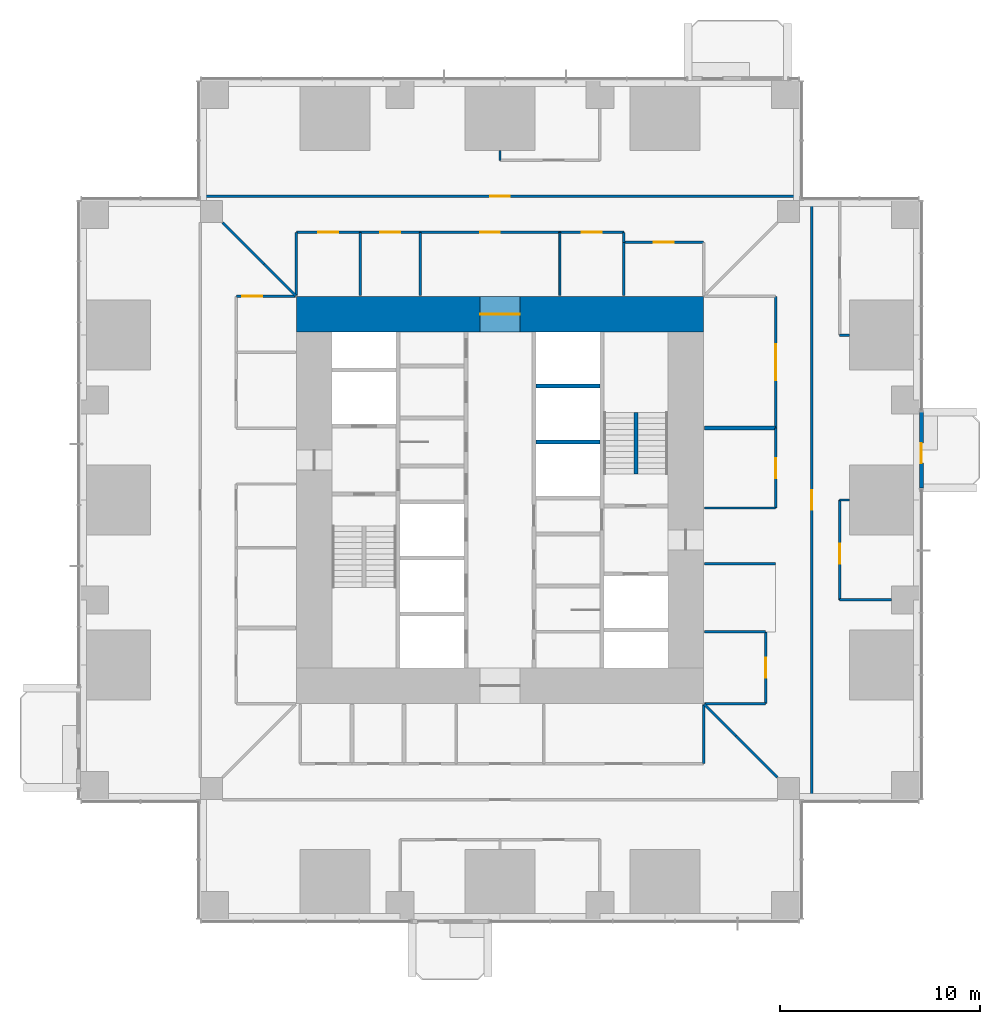
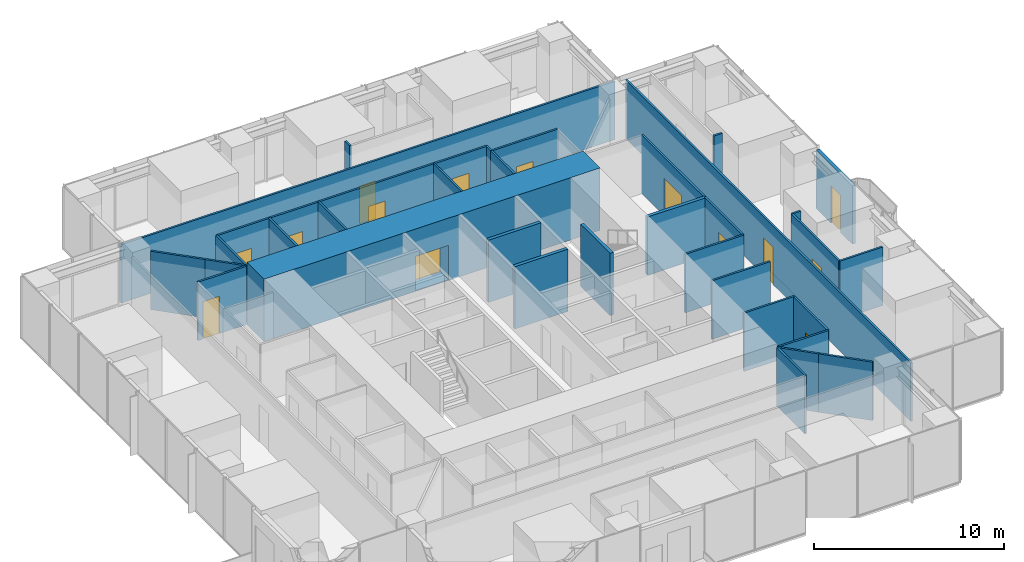
# One storey, part 13 of 17: 37 walls, 14 doors, 14 openings.
"""IFC4 building model written with IfcOpenShell, lengths in metres."""

from ifc_helpers import new_model, si_unit, direction, frame, frame_2d, origin, place, context, subcontext, project, spatial, rectangle, extrude, material, layer, layer_set, type_object, element, fill, save


model = new_model("IFC4")

# Units and contexts
model_context = context("Model", 3, precision=1e-05, world=origin(), true_north=direction((0.0, 1.0)))
body_context = subcontext(model_context, "Body", "Model", "MODEL_VIEW")
ifc_project = project(units=[si_unit("LENGTHUNIT", "METRE"), si_unit("AREAUNIT", "SQUARE_METRE"), si_unit("VOLUMEUNIT", "CUBIC_METRE"), si_unit("PLANEANGLEUNIT", "RADIAN"), si_unit("MASSUNIT", "GRAM", prefix="KILO")], contexts=[model_context])

# Site, building, storey
site_placement = place(None, origin())
site = spatial("IfcSite", under=ifc_project, at=site_placement, CompositionType="ELEMENT")
building_placement = place(site_placement, origin())
building = spatial("IfcBuilding", under=site, at=building_placement, Name="Svetlomir Tower", CompositionType="ELEMENT")
storey_placement = place(building_placement, frame((0.0, 0.0, 62.5)))
storey = spatial("IfcBuildingStorey", under=building, at=storey_placement, Name="L14", CompositionType="ELEMENT", Elevation=62.5)

# Wall
ifc_material_1 = material(Name="Gypsum board on twin steel studs", Category="steel")
ifc_layer_1 = layer(ifc_material_1, 0.199951171875)
ifc_layer_set_1 = layer_set([ifc_layer_1], Name="Gypsum board on twin steel studs")
wall_type_1 = type_object("IfcWallType", Name="ACOUSTIC PARTITION 200", PredefinedType="PARTITIONING", material=ifc_layer_set_1)
wall_1_placement = place(storey_placement, frame((31.25, 24.60009765625, 0.0), z_axis=(0.0, 0.0, 1.0), x_axis=(1.0, 0.0, 0.0)))
element("IfcWall", 1, at=wall_1_placement, inside=storey, type_object=wall_type_1, Name="Acoustic partition L14", PredefinedType="PARTITIONING", context=body_context, shape_type="SweptSolid", body=[
    extrude(rectangle(XDim=3.550048828125, YDim=0.199951171875, at=frame_2d((1.77490234375, 0.0))), origin(), (0.0, 0.0, 1.0), 3.75),
])

# Wall, opening, door
ifc_material_2 = material(Name="Bronze anodised aluminium glazed screen", Category="aluminium")
ifc_layer_2 = layer(ifc_material_2, 0.199951171875)
ifc_layer_set_2 = layer_set([ifc_layer_2], Name="Bronze anodised aluminium glazed screen")
wall_type_2 = type_object("IfcWallType", Name="BALCONY SCREEN WALL 200", PredefinedType="USERDEFINED", material=ifc_layer_set_2)
wall_2_placement = place(storey_placement, frame((42.10009765625, 21.60009765625, 0.0), z_axis=(0.0, 0.0, 1.0), x_axis=(0.0, 1.0, 0.0)))
wall_2 = element("IfcWall", 2, at=wall_2_placement, inside=storey, type_object=wall_type_2, Name="Balcony screen E", ObjectType="GLAZED SCREEN", PredefinedType="USERDEFINED", context=body_context, shape_type="SweptSolid", body=[
    extrude(rectangle(XDim=3.7998046875, YDim=0.199951171875, at=frame_2d((1.89990234375, 0.0))), origin(), (0.0, 0.0, 1.0), 3.75),
])
opening_1_placement = place(wall_2_placement, frame((1.25, 0.0, 0.0)))
opening_1 = element("IfcOpeningElement", 3, at=opening_1_placement, cuts=wall_2, Name="Opening BD", PredefinedType="OPENING", context=body_context, shape_type="SweptSolid", body=[
    extrude(rectangle(XDim=1.0, YDim=2.39990234375, at=frame_2d((0.5, 1.199951171875))), frame((0.0, 0.10986328125, 0.0), z_axis=(0.0, -1.0, 0.0), x_axis=(1.0, 0.0, 0.0)), (0.0, 0.0, 1.0), 0.219970703125),
])
ifc_material_3 = material(Name="Bronze anodised aluminium glazed door", Category="aluminium")
door_type_1 = type_object("IfcDoorType", Name="BALCONY DOOR BD 1000x2400", OperationType="SINGLE_SWING_LEFT", PredefinedType="DOOR", material=ifc_material_3)
door_1_placement = place(opening_1_placement, origin())
door_1 = element("IfcDoor", 4, at=door_1_placement, inside=storey, type_object=door_type_1, Name="Balcony screen E door", OperationType="SINGLE_SWING_LEFT", OverallHeight=2.39990234375, OverallWidth=1.0, PredefinedType="DOOR", context=body_context, shape_type="SweptSolid", body=[
    extrude(rectangle(XDim=1.0, YDim=2.39990234375, at=frame_2d((0.5, 1.199951171875))), frame((0.0, 0.02490234375, 0.0), z_axis=(0.0, -1.0, 0.0), x_axis=(1.0, 0.0, 0.0)), (0.0, 0.0, 1.0), 0.050048828125),
])
fill(opening_1, door_1)

# Walls
ifc_material_4 = material(Name="Concrete C60/75", Category="concrete")
ifc_layer_3 = layer(ifc_material_4, 0.199951171875)
ifc_layer_set_3 = layer_set([ifc_layer_3], Name="Concrete C60/75")
wall_type_3 = type_object("IfcWallType", Name="CORE INNER WALL 200", PredefinedType="SHEAR", material=ifc_layer_set_3)
for number, where, z_axis, x_axis, name in (
    (5, (22.800048828125, 23.89990234375, -0.050048828125), (0.0, 0.0, 1.0), (1.0, 0.0, 0.0), "Core inner wall 22.8-26/23.9 L14"),
    (6, (22.800048828125, 26.699951171875, -0.050048828125), (0.0, 0.0, 1.0), (1.0, 0.0, 0.0), "Core inner wall 22.8-26/26.7 L14"),
):
    element("IfcWall", number, at=place(storey_placement, frame(where, z_axis=z_axis, x_axis=x_axis)), inside=storey, type_object=wall_type_3, Name=name, PredefinedType="SHEAR", context=body_context, shape_type="SweptSolid", body=[
        extrude(rectangle(XDim=3.199951171875, YDim=0.199951171875, at=frame_2d((1.60009765625, 0.0))), origin(), (0.0, 0.0, 1.0), 4.0),
    ])

# Wall, opening, door
ifc_material_5 = material(Name="Concrete C60/75", Category="concrete")
ifc_layer_4 = layer(ifc_material_5, 1.800048828125)
ifc_layer_set_4 = layer_set([ifc_layer_4], Name="Concrete C60/75")
wall_type_4 = type_object("IfcWallType", Name="CORE WALL 1800", PredefinedType="SHEAR", material=ifc_layer_set_4)
wall_3_placement = place(storey_placement, frame((10.800048828125, 30.300048828125, -0.050048828125), z_axis=(0.0, 0.0, 1.0), x_axis=(1.0, 0.0, 0.0)))
wall_3 = element("IfcWall", 7, at=wall_3_placement, inside=storey, type_object=wall_type_4, Name="Core wall north L14", PredefinedType="SHEAR", context=body_context, shape_type="SweptSolid", body=[
    extrude(rectangle(XDim=20.39990234375, YDim=1.800048828125, at=frame_2d((10.199951171875, 0.0))), origin(), (0.0, 0.0, 1.0), 4.0),
])
opening_2_placement = place(wall_3_placement, frame((9.199951171875, 0.0, 0.050048828125)))
opening_2 = element("IfcOpeningElement", 8, at=opening_2_placement, cuts=wall_3, Name="Opening DL", PredefinedType="OPENING", context=body_context, shape_type="SweptSolid", body=[
    extrude(rectangle(XDim=2.0, YDim=2.199951171875, at=frame_2d((1.0, 1.10009765625))), frame((0.0, 0.91015625, 0.0), z_axis=(0.0, -1.0, 0.0), x_axis=(1.0, 0.0, 0.0)), (0.0, 0.0, 1.0), 1.820068359375),
])
ifc_material_6 = material(Name="Steel fire door", Category="steel")
door_type_2 = type_object("IfcDoorType", Name="DOOR DL 2000x2200", OperationType="DOUBLE_DOOR_SINGLE_SWING", PredefinedType="DOOR", material=ifc_material_6)
door_2_placement = place(opening_2_placement, origin())
door_2 = element("IfcDoor", 9, at=door_2_placement, inside=storey, type_object=door_type_2, Name="Lift lobby north door L14", OperationType="DOUBLE_DOOR_SINGLE_SWING", OverallHeight=2.199951171875, OverallWidth=2.0, PredefinedType="DOOR", context=body_context, shape_type="SweptSolid", body=[
    extrude(rectangle(XDim=2.0, YDim=2.199951171875, at=frame_2d((1.0, 1.10009765625))), frame((0.0, 0.02490234375, 0.0), z_axis=(0.0, -1.0, 0.0), x_axis=(1.0, 0.0, 0.0)), (0.0, 0.0, 1.0), 0.050048828125),
])
fill(opening_2, door_2)

# Wall
ifc_material_7 = material(Name="Framed laminated glass partition", Category="glass")
ifc_layer_5 = layer(ifc_material_7, 0.10009765625)
ifc_layer_set_5 = layer_set([ifc_layer_5], Name="Framed laminated glass partition")
wall_type_5 = type_object("IfcWallType", Name="GLAZED PARTITION 100", PredefinedType="PARTITIONING", material=ifc_layer_set_5)
wall_4_placement = place(storey_placement, frame((24.0, 31.25, 0.0), z_axis=(0.0, 0.0, 1.0), x_axis=(0.0, 1.0, 0.0)))
element("IfcWall", 10, at=wall_4_placement, inside=storey, type_object=wall_type_5, Name="Glazed partition L14", PredefinedType="PARTITIONING", context=body_context, shape_type="SweptSolid", body=[
    extrude(rectangle(XDim=3.14990234375, YDim=0.10009765625, at=frame_2d((1.574951171875, 0.0))), origin(), (0.0, 0.0, 1.0), 3.75),
])

# Wall, opening, door
ifc_material_8 = material(Name="Gypsum board on steel studs", Category="steel")
ifc_layer_6 = layer(ifc_material_8, 0.1201171875)
ifc_layer_set_6 = layer_set([ifc_layer_6], Name="Gypsum board on steel studs")
wall_type_6 = type_object("IfcWallType", Name="PARTITION 120", PredefinedType="PARTITIONING", material=ifc_layer_set_6)
wall_5_placement = place(storey_placement, frame((6.0, 36.199951171875, 0.0), z_axis=(0.0, 0.0, 1.0), x_axis=(1.0, 0.0, 0.0)))
wall_5 = element("IfcWall", 11, at=wall_5_placement, inside=storey, type_object=wall_type_6, Name="Partition L14", PredefinedType="PARTITIONING", context=body_context, shape_type="SweptSolid", body=[
    extrude(rectangle(XDim=30.0, YDim=0.1201171875, at=frame_2d((15.0, 0.0))), origin(), (0.0, 0.0, 1.0), 3.75),
])
opening_3_placement = place(wall_5_placement, frame((14.5, 0.0, 0.0)))
opening_3 = element("IfcOpeningElement", 12, at=opening_3_placement, cuts=wall_5, Name="Opening DG", PredefinedType="OPENING", context=body_context, shape_type="SweptSolid", body=[
    extrude(rectangle(XDim=1.0, YDim=2.39990234375, at=frame_2d((0.5, 1.199951171875))), frame((0.0, 0.070068359375, 0.0), z_axis=(0.0, -1.0, 0.0), x_axis=(1.0, 0.0, 0.0)), (0.0, 0.0, 1.0), 0.14013671875),
])
ifc_material_9 = material(Name="Framed laminated glass door", Category="glass")
door_type_3 = type_object("IfcDoorType", Name="GLAZED DOOR DG 1000x2400", OperationType="SINGLE_SWING_LEFT", PredefinedType="DOOR", material=ifc_material_9)
door_3_placement = place(opening_3_placement, origin())
door_3 = element("IfcDoor", 13, at=door_3_placement, inside=storey, type_object=door_type_3, Name="Ring corridor 4 door 1 L14", OperationType="SINGLE_SWING_RIGHT", OverallHeight=2.39990234375, OverallWidth=1.0, PredefinedType="DOOR", context=body_context, shape_type="SweptSolid", body=[
    extrude(rectangle(XDim=1.0, YDim=2.39990234375, at=frame_2d((0.5, 1.199951171875))), frame((0.0, 0.02490234375, 0.0), z_axis=(0.0, -1.0, 0.0), x_axis=(1.0, 0.0, 0.0)), (0.0, 0.0, 1.0), 0.050048828125),
])
fill(opening_3, door_3)

# Wall
wall_6_placement = place(storey_placement, frame((7.110107421875, 34.889892578125, 0.0), z_axis=(0.0, 0.0, 1.0), x_axis=(0.707106781187, -0.707106781187, 0.0)))
element("IfcWall", 14, at=wall_6_placement, inside=storey, type_object=wall_type_6, Name="Partition L14", PredefinedType="PARTITIONING", context=body_context, shape_type="SweptSolid", body=[
    extrude(rectangle(XDim=2.949951171875, YDim=0.1201171875, at=frame_2d((1.47509765625, 0.0))), origin(), (0.0, 0.0, 1.0), 3.75),
])

# Wall, opening, door
wall_7_placement = place(storey_placement, frame((7.800048828125, 31.199951171875, 0.0), z_axis=(0.0, 0.0, 1.0), x_axis=(1.0, 0.0, 0.0)))
wall_7 = element("IfcWall", 15, at=wall_7_placement, inside=storey, type_object=wall_type_6, Name="Partition L14", PredefinedType="PARTITIONING", context=body_context, shape_type="SweptSolid", body=[
    extrude(rectangle(XDim=2.949951171875, YDim=0.1201171875, at=frame_2d((1.47509765625, 0.0))), origin(), (0.0, 0.0, 1.0), 3.75),
])
opening_4_placement = place(wall_7_placement, frame((0.300048828125, 0.0, 0.0)))
opening_4 = element("IfcOpeningElement", 16, at=opening_4_placement, cuts=wall_7, Name="Opening DG", PredefinedType="OPENING", context=body_context, shape_type="SweptSolid", body=[
    extrude(rectangle(XDim=1.0, YDim=2.39990234375, at=frame_2d((0.5, 1.199951171875))), frame((0.0, 0.070068359375, 0.0), z_axis=(0.0, -1.0, 0.0), x_axis=(1.0, 0.0, 0.0)), (0.0, 0.0, 1.0), 0.14013671875),
])
door_4_placement = place(opening_4_placement, origin())
door_4 = element("IfcDoor", 17, at=door_4_placement, inside=storey, type_object=door_type_3, Name="Ring corridor 3 door 2 L14", OperationType="SINGLE_SWING_LEFT", OverallHeight=2.39990234375, OverallWidth=1.0, PredefinedType="DOOR", context=body_context, shape_type="SweptSolid", body=[
    extrude(rectangle(XDim=1.0, YDim=2.39990234375, at=frame_2d((0.5, 1.199951171875))), frame((0.0, 0.02490234375, 0.0), z_axis=(0.0, -1.0, 0.0), x_axis=(1.0, 0.0, 0.0)), (0.0, 0.0, 1.0), 0.050048828125),
])
fill(opening_4, door_4)

# Walls
wall_8_placement = place(storey_placement, frame((9.196044921875, 32.803955078125, 0.0), z_axis=(0.0, 0.0, 1.0), x_axis=(0.707106781187, -0.707106781187, 0.0)))
element("IfcWall", 18, at=wall_8_placement, inside=storey, type_object=wall_type_6, Name="Partition L14", PredefinedType="PARTITIONING", context=body_context, shape_type="SweptSolid", body=[
    extrude(rectangle(XDim=2.21826171875, YDim=0.1201171875, at=frame_2d((1.109130859375, 0.0))), origin(), (0.0, 0.0, 1.0), 3.75),
])
wall_9_placement = place(storey_placement, frame((10.800048828125, 31.25, 0.0), z_axis=(0.0, 0.0, 1.0), x_axis=(0.0, 1.0, 0.0)))
element("IfcWall", 19, at=wall_9_placement, inside=storey, type_object=wall_type_6, Name="Partition L14", PredefinedType="PARTITIONING", context=body_context, shape_type="SweptSolid", body=[
    extrude(rectangle(XDim=3.14990234375, YDim=0.1201171875, at=frame_2d((1.574951171875, 0.0))), origin(), (0.0, 0.0, 1.0), 3.75),
])

# Wall, opening, door
wall_10_placement = place(storey_placement, frame((10.800048828125, 34.39990234375, 0.0), z_axis=(0.0, 0.0, 1.0), x_axis=(1.0, 0.0, 0.0)))
wall_10 = element("IfcWall", 20, at=wall_10_placement, inside=storey, type_object=wall_type_6, Name="Partition L14", PredefinedType="PARTITIONING", context=body_context, shape_type="SweptSolid", body=[
    extrude(rectangle(XDim=3.199951171875, YDim=0.1201171875, at=frame_2d((1.60009765625, 0.0))), origin(), (0.0, 0.0, 1.0), 3.75),
])
opening_5_placement = place(wall_10_placement, frame((1.10009765625, 0.0, 0.0)))
opening_5 = element("IfcOpeningElement", 21, at=opening_5_placement, cuts=wall_10, Name="Opening DR", PredefinedType="OPENING", context=body_context, shape_type="SweptSolid", body=[
    extrude(rectangle(XDim=1.0, YDim=2.199951171875, at=frame_2d((0.5, 1.10009765625))), frame((0.0, 0.070068359375, 0.0), z_axis=(0.0, -1.0, 0.0), x_axis=(1.0, 0.0, 0.0)), (0.0, 0.0, 1.0), 0.14013671875),
])
ifc_material_10 = material(Name="Timber door, glazed side light", Category="wood")
door_type_4 = type_object("IfcDoorType", Name="DOOR DR 1000x2200", OperationType="SINGLE_SWING_LEFT", PredefinedType="DOOR", material=ifc_material_10)
door_5_placement = place(opening_5_placement, origin())
door_5 = element("IfcDoor", 22, at=door_5_placement, inside=storey, type_object=door_type_4, Name="Wellness room door L14", OperationType="SINGLE_SWING_RIGHT", OverallHeight=2.199951171875, OverallWidth=1.0, PredefinedType="DOOR", context=body_context, shape_type="SweptSolid", body=[
    extrude(rectangle(XDim=1.0, YDim=2.199951171875, at=frame_2d((0.5, 1.10009765625))), frame((0.0, 0.02490234375, 0.0), z_axis=(0.0, -1.0, 0.0), x_axis=(1.0, 0.0, 0.0)), (0.0, 0.0, 1.0), 0.050048828125),
])
fill(opening_5, door_5)

# Wall
wall_11_placement = place(storey_placement, frame((14.0, 31.25, 0.0), z_axis=(0.0, 0.0, 1.0), x_axis=(0.0, 1.0, 0.0)))
element("IfcWall", 23, at=wall_11_placement, inside=storey, type_object=wall_type_6, Name="Partition L14", PredefinedType="PARTITIONING", context=body_context, shape_type="SweptSolid", body=[
    extrude(rectangle(XDim=3.14990234375, YDim=0.1201171875, at=frame_2d((1.574951171875, 0.0))), origin(), (0.0, 0.0, 1.0), 3.75),
])

# Wall, opening, door
wall_12_placement = place(storey_placement, frame((14.0, 34.39990234375, 0.0), z_axis=(0.0, 0.0, 1.0), x_axis=(1.0, 0.0, 0.0)))
wall_12 = element("IfcWall", 24, at=wall_12_placement, inside=storey, type_object=wall_type_6, Name="Partition L14", PredefinedType="PARTITIONING", context=body_context, shape_type="SweptSolid", body=[
    extrude(rectangle(XDim=3.0, YDim=0.1201171875, at=frame_2d((1.5, 0.0))), origin(), (0.0, 0.0, 1.0), 3.75),
])
opening_6_placement = place(wall_12_placement, frame((1.0, 0.0, 0.0)))
opening_6 = element("IfcOpeningElement", 25, at=opening_6_placement, cuts=wall_12, Name="Opening DR", PredefinedType="OPENING", context=body_context, shape_type="SweptSolid", body=[
    extrude(rectangle(XDim=1.0, YDim=2.199951171875, at=frame_2d((0.5, 1.10009765625))), frame((0.0, 0.070068359375, 0.0), z_axis=(0.0, -1.0, 0.0), x_axis=(1.0, 0.0, 0.0)), (0.0, 0.0, 1.0), 0.14013671875),
])
door_6_placement = place(opening_6_placement, origin())
door_6 = element("IfcDoor", 26, at=door_6_placement, inside=storey, type_object=door_type_4, Name="Parents' room door L14", OperationType="SINGLE_SWING_LEFT", OverallHeight=2.199951171875, OverallWidth=1.0, PredefinedType="DOOR", context=body_context, shape_type="SweptSolid", body=[
    extrude(rectangle(XDim=1.0, YDim=2.199951171875, at=frame_2d((0.5, 1.10009765625))), frame((0.0, 0.02490234375, 0.0), z_axis=(0.0, -1.0, 0.0), x_axis=(1.0, 0.0, 0.0)), (0.0, 0.0, 1.0), 0.050048828125),
])
fill(opening_6, door_6)

# Wall
wall_13_placement = place(storey_placement, frame((17.0, 31.25, 0.0), z_axis=(0.0, 0.0, 1.0), x_axis=(0.0, 1.0, 0.0)))
element("IfcWall", 27, at=wall_13_placement, inside=storey, type_object=wall_type_6, Name="Partition L14", PredefinedType="PARTITIONING", context=body_context, shape_type="SweptSolid", body=[
    extrude(rectangle(XDim=3.14990234375, YDim=0.1201171875, at=frame_2d((1.574951171875, 0.0))), origin(), (0.0, 0.0, 1.0), 3.75),
])

# Wall, opening, door
wall_14_placement = place(storey_placement, frame((17.0, 34.39990234375, 0.0), z_axis=(0.0, 0.0, 1.0), x_axis=(1.0, 0.0, 0.0)))
wall_14 = element("IfcWall", 28, at=wall_14_placement, inside=storey, type_object=wall_type_6, Name="Partition L14", PredefinedType="PARTITIONING", context=body_context, shape_type="SweptSolid", body=[
    extrude(rectangle(XDim=7.0, YDim=0.1201171875, at=frame_2d((3.5, 0.0))), origin(), (0.0, 0.0, 1.0), 3.75),
])
opening_7_placement = place(wall_14_placement, frame((3.0, 0.0, 0.0)))
opening_7 = element("IfcOpeningElement", 29, at=opening_7_placement, cuts=wall_14, Name="Opening DG", PredefinedType="OPENING", context=body_context, shape_type="SweptSolid", body=[
    extrude(rectangle(XDim=1.0, YDim=2.39990234375, at=frame_2d((0.5, 1.199951171875))), frame((0.0, 0.070068359375, 0.0), z_axis=(0.0, -1.0, 0.0), x_axis=(1.0, 0.0, 0.0)), (0.0, 0.0, 1.0), 0.14013671875),
])
door_7_placement = place(opening_7_placement, origin())
door_7 = element("IfcDoor", 30, at=door_7_placement, inside=storey, type_object=door_type_3, Name="Ring corridor 4 door 2 L14", OperationType="SINGLE_SWING_RIGHT", OverallHeight=2.39990234375, OverallWidth=1.0, PredefinedType="DOOR", context=body_context, shape_type="SweptSolid", body=[
    extrude(rectangle(XDim=1.0, YDim=2.39990234375, at=frame_2d((0.5, 1.199951171875))), frame((0.0, 0.02490234375, 0.0), z_axis=(0.0, -1.0, 0.0), x_axis=(1.0, 0.0, 0.0)), (0.0, 0.0, 1.0), 0.050048828125),
])
fill(opening_7, door_7)

# Wall
wall_15_placement = place(storey_placement, frame((21.0, 38.0, 0.0), z_axis=(0.0, 0.0, 1.0), x_axis=(0.0, 1.0, 0.0)))
element("IfcWall", 31, at=wall_15_placement, inside=storey, type_object=wall_type_6, Name="Partition L14", PredefinedType="PARTITIONING", context=body_context, shape_type="SweptSolid", body=[
    extrude(rectangle(XDim=0.489990234375, YDim=0.1201171875, at=frame_2d((0.2451171875, 0.0))), origin(), (0.0, 0.0, 1.0), 3.75),
])

# Wall, opening, door
wall_16_placement = place(storey_placement, frame((24.0, 34.39990234375, 0.0), z_axis=(0.0, 0.0, 1.0), x_axis=(1.0, 0.0, 0.0)))
wall_16 = element("IfcWall", 32, at=wall_16_placement, inside=storey, type_object=wall_type_6, Name="Partition L14", PredefinedType="PARTITIONING", context=body_context, shape_type="SweptSolid", body=[
    extrude(rectangle(XDim=3.199951171875, YDim=0.1201171875, at=frame_2d((1.60009765625, 0.0))), origin(), (0.0, 0.0, 1.0), 3.75),
])
opening_8_placement = place(wall_16_placement, frame((1.10009765625, 0.0, 0.0)))
opening_8 = element("IfcOpeningElement", 33, at=opening_8_placement, cuts=wall_16, Name="Opening DG", PredefinedType="OPENING", context=body_context, shape_type="SweptSolid", body=[
    extrude(rectangle(XDim=1.0, YDim=2.39990234375, at=frame_2d((0.5, 1.199951171875))), frame((0.0, 0.070068359375, 0.0), z_axis=(0.0, -1.0, 0.0), x_axis=(1.0, 0.0, 0.0)), (0.0, 0.0, 1.0), 0.14013671875),
])
door_8_placement = place(opening_8_placement, origin())
door_8 = element("IfcDoor", 34, at=door_8_placement, inside=storey, type_object=door_type_3, Name="Focus room door L14", OperationType="SINGLE_SWING_RIGHT", OverallHeight=2.39990234375, OverallWidth=1.0, PredefinedType="DOOR", context=body_context, shape_type="SweptSolid", body=[
    extrude(rectangle(XDim=1.0, YDim=2.39990234375, at=frame_2d((0.5, 1.199951171875))), frame((0.0, 0.02490234375, 0.0), z_axis=(0.0, -1.0, 0.0), x_axis=(1.0, 0.0, 0.0)), (0.0, 0.0, 1.0), 0.050048828125),
])
fill(opening_8, door_8)

# Walls
wall_17_placement = place(storey_placement, frame((27.199951171875, 31.25, 0.0), z_axis=(0.0, 0.0, 1.0), x_axis=(0.0, 1.0, 0.0)))
element("IfcWall", 35, at=wall_17_placement, inside=storey, type_object=wall_type_6, Name="Partition L14", PredefinedType="PARTITIONING", context=body_context, shape_type="SweptSolid", body=[
    extrude(rectangle(XDim=2.64990234375, YDim=0.1201171875, at=frame_2d((1.324951171875, 0.0))), origin(), (0.0, 0.0, 1.0), 3.75),
])
wall_18_placement = place(storey_placement, frame((27.199951171875, 33.89990234375, 0.0), z_axis=(0.0, 0.0, 1.0), x_axis=(0.0, 1.0, 0.0)))
element("IfcWall", 36, at=wall_18_placement, inside=storey, type_object=wall_type_6, Name="Partition L14", PredefinedType="PARTITIONING", context=body_context, shape_type="SweptSolid", body=[
    extrude(rectangle(XDim=0.5, YDim=0.1201171875, at=frame_2d((0.25, 0.0))), origin(), (0.0, 0.0, 1.0), 3.75),
])

# Wall, opening, door
wall_19_placement = place(storey_placement, frame((27.199951171875, 33.89990234375, 0.0), z_axis=(0.0, 0.0, 1.0), x_axis=(1.0, 0.0, 0.0)))
wall_19 = element("IfcWall", 37, at=wall_19_placement, inside=storey, type_object=wall_type_6, Name="Partition L14", PredefinedType="PARTITIONING", context=body_context, shape_type="SweptSolid", body=[
    extrude(rectangle(XDim=4.0, YDim=0.1201171875, at=frame_2d((2.0, 0.0))), origin(), (0.0, 0.0, 1.0), 3.75),
])
opening_9_placement = place(wall_19_placement, frame((1.5, 0.0, 0.0)))
opening_9 = element("IfcOpeningElement", 38, at=opening_9_placement, cuts=wall_19, Name="Opening DR", PredefinedType="OPENING", context=body_context, shape_type="SweptSolid", body=[
    extrude(rectangle(XDim=1.0, YDim=2.199951171875, at=frame_2d((0.5, 1.10009765625))), frame((0.0, 0.070068359375, 0.0), z_axis=(0.0, -1.0, 0.0), x_axis=(1.0, 0.0, 0.0)), (0.0, 0.0, 1.0), 0.14013671875),
])
door_9_placement = place(opening_9_placement, origin())
door_9 = element("IfcDoor", 39, at=door_9_placement, inside=storey, type_object=door_type_4, Name="Print and copy room door L14", OperationType="SINGLE_SWING_LEFT", OverallHeight=2.199951171875, OverallWidth=1.0, PredefinedType="DOOR", context=body_context, shape_type="SweptSolid", body=[
    extrude(rectangle(XDim=1.0, YDim=2.199951171875, at=frame_2d((0.5, 1.10009765625))), frame((0.0, 0.02490234375, 0.0), z_axis=(0.0, -1.0, 0.0), x_axis=(1.0, 0.0, 0.0)), (0.0, 0.0, 1.0), 0.050048828125),
])
fill(opening_9, door_9)

# Walls
wall_20_placement = place(storey_placement, frame((31.199951171875, 7.800048828125, 0.0), z_axis=(0.0, 0.0, 1.0), x_axis=(0.0, 1.0, 0.0)))
element("IfcWall", 40, at=wall_20_placement, inside=storey, type_object=wall_type_6, Name="Partition L14", PredefinedType="PARTITIONING", context=body_context, shape_type="SweptSolid", body=[
    extrude(rectangle(XDim=2.949951171875, YDim=0.1201171875, at=frame_2d((1.47509765625, 0.0))), origin(), (0.0, 0.0, 1.0), 3.75),
])
wall_21_placement = place(storey_placement, frame((31.2353515625, 10.7646484375, 0.0), z_axis=(0.0, 0.0, 1.0), x_axis=(0.707106781187, -0.707106781187, 0.0)))
element("IfcWall", 41, at=wall_21_placement, inside=storey, type_object=wall_type_6, Name="Partition L14", PredefinedType="PARTITIONING", context=body_context, shape_type="SweptSolid", body=[
    extrude(rectangle(XDim=2.21826171875, YDim=0.1201171875, at=frame_2d((1.109130859375, 0.0))), origin(), (0.0, 0.0, 1.0), 3.75),
])
for number, where, z_axis, x_axis, name in (
    (42, (31.25, 10.800048828125, 0.0), (0.0, 0.0, 1.0), (1.0, 0.0, 0.0), "Partition L14"),
    (43, (31.25, 14.39990234375, 0.0), (0.0, 0.0, 1.0), (1.0, 0.0, 0.0), "Partition L14"),
):
    element("IfcWall", number, at=place(storey_placement, frame(where, z_axis=z_axis, x_axis=x_axis)), inside=storey, type_object=wall_type_6, Name=name, PredefinedType="PARTITIONING", context=body_context, shape_type="SweptSolid", body=[
        extrude(rectangle(XDim=3.050048828125, YDim=0.1201171875, at=frame_2d((1.52490234375, 0.0))), origin(), (0.0, 0.0, 1.0), 3.75),
    ])
for number, where, z_axis, x_axis, name in (
    (44, (31.25, 17.800048828125, 0.0), (0.0, 0.0, 1.0), (1.0, 0.0, 0.0), "Partition L14"),
    (45, (31.25, 20.60009765625, 0.0), (0.0, 0.0, 1.0), (1.0, 0.0, 0.0), "Partition L14"),
):
    element("IfcWall", number, at=place(storey_placement, frame(where, z_axis=z_axis, x_axis=x_axis)), inside=storey, type_object=wall_type_6, Name=name, PredefinedType="PARTITIONING", context=body_context, shape_type="SweptSolid", body=[
        extrude(rectangle(XDim=3.550048828125, YDim=0.1201171875, at=frame_2d((1.77490234375, 0.0))), origin(), (0.0, 0.0, 1.0), 3.75),
    ])
wall_22_placement = place(storey_placement, frame((32.803955078125, 9.196044921875, 0.0), z_axis=(0.0, 0.0, 1.0), x_axis=(0.707106781187, -0.707106781187, 0.0)))
element("IfcWall", 46, at=wall_22_placement, inside=storey, type_object=wall_type_6, Name="Partition L14", PredefinedType="PARTITIONING", context=body_context, shape_type="SweptSolid", body=[
    extrude(rectangle(XDim=2.949951171875, YDim=0.1201171875, at=frame_2d((1.47509765625, 0.0))), origin(), (0.0, 0.0, 1.0), 3.75),
])

# Wall, opening, door
wall_23_placement = place(storey_placement, frame((34.300048828125, 10.800048828125, 0.0), z_axis=(0.0, 0.0, 1.0), x_axis=(0.0, 1.0, 0.0)))
wall_23 = element("IfcWall", 47, at=wall_23_placement, inside=storey, type_object=wall_type_6, Name="Partition L14", PredefinedType="PARTITIONING", context=body_context, shape_type="SweptSolid", body=[
    extrude(rectangle(XDim=3.599853515625, YDim=0.1201171875, at=frame_2d((1.7998046875, 0.0))), origin(), (0.0, 0.0, 1.0), 3.75),
])
opening_10_placement = place(wall_23_placement, frame((1.300048828125, 0.0, 0.0)))
opening_10 = element("IfcOpeningElement", 48, at=opening_10_placement, cuts=wall_23, Name="Opening DR", PredefinedType="OPENING", context=body_context, shape_type="SweptSolid", body=[
    extrude(rectangle(XDim=1.0, YDim=2.199951171875, at=frame_2d((0.5, 1.10009765625))), frame((0.0, 0.070068359375, 0.0), z_axis=(0.0, -1.0, 0.0), x_axis=(1.0, 0.0, 0.0)), (0.0, 0.0, 1.0), 0.14013671875),
])
door_10_placement = place(opening_10_placement, origin())
door_10 = element("IfcDoor", 49, at=door_10_placement, inside=storey, type_object=door_type_4, Name="Personnel records room door L14", OperationType="SINGLE_SWING_LEFT", OverallHeight=2.199951171875, OverallWidth=1.0, PredefinedType="DOOR", context=body_context, shape_type="SweptSolid", body=[
    extrude(rectangle(XDim=1.0, YDim=2.199951171875, at=frame_2d((0.5, 1.10009765625))), frame((0.0, 0.02490234375, 0.0), z_axis=(0.0, -1.0, 0.0), x_axis=(1.0, 0.0, 0.0)), (0.0, 0.0, 1.0), 0.050048828125),
])
fill(opening_10, door_10)

wall_24_placement = place(storey_placement, frame((34.800048828125, 20.60009765625, 0.0), z_axis=(0.0, 0.0, 1.0), x_axis=(0.0, 1.0, 0.0)))
wall_24 = element("IfcWall", 50, at=wall_24_placement, inside=storey, type_object=wall_type_6, Name="Partition L14", PredefinedType="PARTITIONING", context=body_context, shape_type="SweptSolid", body=[
    extrude(rectangle(XDim=4.0, YDim=0.1201171875, at=frame_2d((2.0, 0.0))), origin(), (0.0, 0.0, 1.0), 3.75),
])
opening_11_placement = place(wall_24_placement, frame((1.5, 0.0, 0.0)))
opening_11 = element("IfcOpeningElement", 51, at=opening_11_placement, cuts=wall_24, Name="Opening DG", PredefinedType="OPENING", context=body_context, shape_type="SweptSolid", body=[
    extrude(rectangle(XDim=1.0, YDim=2.39990234375, at=frame_2d((0.5, 1.199951171875))), frame((0.0, 0.070068359375, 0.0), z_axis=(0.0, -1.0, 0.0), x_axis=(1.0, 0.0, 0.0)), (0.0, 0.0, 1.0), 0.14013671875),
])
door_11_placement = place(opening_11_placement, origin())
door_11 = element("IfcDoor", 52, at=door_11_placement, inside=storey, type_object=door_type_3, Name="Meeting room, 6 seats door L14", OperationType="SINGLE_SWING_RIGHT", OverallHeight=2.39990234375, OverallWidth=1.0, PredefinedType="DOOR", context=body_context, shape_type="SweptSolid", body=[
    extrude(rectangle(XDim=1.0, YDim=2.39990234375, at=frame_2d((0.5, 1.199951171875))), frame((0.0, 0.02490234375, 0.0), z_axis=(0.0, -1.0, 0.0), x_axis=(1.0, 0.0, 0.0)), (0.0, 0.0, 1.0), 0.050048828125),
])
fill(opening_11, door_11)

wall_25_placement = place(storey_placement, frame((34.800048828125, 24.60009765625, 0.0), z_axis=(0.0, 0.0, 1.0), x_axis=(0.0, 1.0, 0.0)))
wall_25 = element("IfcWall", 53, at=wall_25_placement, inside=storey, type_object=wall_type_6, Name="Partition L14", PredefinedType="PARTITIONING", context=body_context, shape_type="SweptSolid", body=[
    extrude(rectangle(XDim=6.599853515625, YDim=0.1201171875, at=frame_2d((3.2998046875, 0.0))), origin(), (0.0, 0.0, 1.0), 3.75),
])
opening_12_placement = place(wall_25_placement, frame((2.39990234375, 0.0, 0.0)))
opening_12 = element("IfcOpeningElement", 54, at=opening_12_placement, cuts=wall_25, Name="Opening DD", PredefinedType="OPENING", context=body_context, shape_type="SweptSolid", body=[
    extrude(rectangle(XDim=1.800048828125, YDim=2.39990234375, at=frame_2d((0.89990234375, 1.199951171875))), frame((0.0, 0.070068359375, 0.0), z_axis=(0.0, -1.0, 0.0), x_axis=(1.0, 0.0, 0.0)), (0.0, 0.0, 1.0), 0.14013671875),
])
ifc_material_11 = material(Name="Timber door", Category="wood")
door_type_5 = type_object("IfcDoorType", Name="DOOR DD 1800x2400", OperationType="DOUBLE_DOOR_SINGLE_SWING", PredefinedType="DOOR", material=ifc_material_11)
door_12_placement = place(opening_12_placement, origin())
door_12 = element("IfcDoor", 55, at=door_12_placement, inside=storey, type_object=door_type_5, Name="Training room, 18 seats door L14", OperationType="DOUBLE_DOOR_SINGLE_SWING", OverallHeight=2.39990234375, OverallWidth=1.800048828125, PredefinedType="DOOR", context=body_context, shape_type="SweptSolid", body=[
    extrude(rectangle(XDim=1.800048828125, YDim=2.39990234375, at=frame_2d((0.89990234375, 1.199951171875))), frame((0.0, 0.02490234375, 0.0), z_axis=(0.0, -1.0, 0.0), x_axis=(1.0, 0.0, 0.0)), (0.0, 0.0, 1.0), 0.050048828125),
])
fill(opening_12, door_12)

wall_26_placement = place(storey_placement, frame((36.60009765625, 6.0, 0.0), z_axis=(0.0, 0.0, 1.0), x_axis=(0.0, 1.0, 0.0)))
wall_26 = element("IfcWall", 56, at=wall_26_placement, inside=storey, type_object=wall_type_6, Name="Partition L14", PredefinedType="PARTITIONING", context=body_context, shape_type="SweptSolid", body=[
    extrude(rectangle(XDim=30.0, YDim=0.1201171875, at=frame_2d((15.0, 0.0))), origin(), (0.0, 0.0, 1.0), 3.75),
])
opening_13_placement = place(wall_26_placement, frame((14.5, 0.0, 0.0)))
opening_13 = element("IfcOpeningElement", 57, at=opening_13_placement, cuts=wall_26, Name="Opening DG", PredefinedType="OPENING", context=body_context, shape_type="SweptSolid", body=[
    extrude(rectangle(XDim=1.0, YDim=2.39990234375, at=frame_2d((0.5, 1.199951171875))), frame((0.0, 0.070068359375, 0.0), z_axis=(0.0, -1.0, 0.0), x_axis=(1.0, 0.0, 0.0)), (0.0, 0.0, 1.0), 0.14013671875),
])
door_13_placement = place(opening_13_placement, origin())
door_13 = element("IfcDoor", 58, at=door_13_placement, inside=storey, type_object=door_type_3, Name="Ring corridor 2 door 1 L14", OperationType="SINGLE_SWING_RIGHT", OverallHeight=2.39990234375, OverallWidth=1.0, PredefinedType="DOOR", context=body_context, shape_type="SweptSolid", body=[
    extrude(rectangle(XDim=1.0, YDim=2.39990234375, at=frame_2d((0.5, 1.199951171875))), frame((0.0, 0.02490234375, 0.0), z_axis=(0.0, -1.0, 0.0), x_axis=(1.0, 0.0, 0.0)), (0.0, 0.0, 1.0), 0.050048828125),
])
fill(opening_13, door_13)

wall_27_placement = place(storey_placement, frame((38.0, 16.0, 0.0), z_axis=(0.0, 0.0, 1.0), x_axis=(0.0, 1.0, 0.0)))
wall_27 = element("IfcWall", 59, at=wall_27_placement, inside=storey, type_object=wall_type_6, Name="Partition L14", PredefinedType="PARTITIONING", context=body_context, shape_type="SweptSolid", body=[
    extrude(rectangle(XDim=5.0, YDim=0.1201171875, at=frame_2d((2.5, 0.0))), origin(), (0.0, 0.0, 1.0), 3.75),
])
opening_14_placement = place(wall_27_placement, frame((1.800048828125, 0.0, 0.0)))
opening_14 = element("IfcOpeningElement", 60, at=opening_14_placement, cuts=wall_27, Name="Opening DR", PredefinedType="OPENING", context=body_context, shape_type="SweptSolid", body=[
    extrude(rectangle(XDim=1.0, YDim=2.199951171875, at=frame_2d((0.5, 1.10009765625))), frame((0.0, 0.070068359375, 0.0), z_axis=(0.0, -1.0, 0.0), x_axis=(1.0, 0.0, 0.0)), (0.0, 0.0, 1.0), 0.14013671875),
])
door_14_placement = place(opening_14_placement, origin())
door_14 = element("IfcDoor", 61, at=door_14_placement, inside=storey, type_object=door_type_4, Name="HR business partner office door L14", OperationType="SINGLE_SWING_RIGHT", OverallHeight=2.199951171875, OverallWidth=1.0, PredefinedType="DOOR", context=body_context, shape_type="SweptSolid", body=[
    extrude(rectangle(XDim=1.0, YDim=2.199951171875, at=frame_2d((0.5, 1.10009765625))), frame((0.0, 0.02490234375, 0.0), z_axis=(0.0, -1.0, 0.0), x_axis=(1.0, 0.0, 0.0)), (0.0, 0.0, 1.0), 0.050048828125),
])
fill(opening_14, door_14)

# Walls
wall_28_placement = place(storey_placement, frame((38.0, 16.0, 0.0), z_axis=(0.0, 0.0, 1.0), x_axis=(1.0, 0.0, 0.0)))
element("IfcWall", 62, at=wall_28_placement, inside=storey, type_object=wall_type_6, Name="Partition L14", PredefinedType="PARTITIONING", context=body_context, shape_type="SweptSolid", body=[
    extrude(rectangle(XDim=2.590087890625, YDim=0.1201171875, at=frame_2d((1.294921875, 0.0))), origin(), (0.0, 0.0, 1.0), 3.75),
])
for number, where, z_axis, x_axis, name in (
    (63, (38.0, 21.0, 0.0), (0.0, 0.0, 1.0), (1.0, 0.0, 0.0), "Partition L14"),
    (64, (38.0, 29.25, 0.0), (0.0, 0.0, 1.0), (1.0, 0.0, 0.0), "Partition L14"),
):
    element("IfcWall", number, at=place(storey_placement, frame(where, z_axis=z_axis, x_axis=x_axis)), inside=storey, type_object=wall_type_6, Name=name, PredefinedType="PARTITIONING", context=body_context, shape_type="SweptSolid", body=[
        extrude(rectangle(XDim=0.489990234375, YDim=0.1201171875, at=frame_2d((0.2451171875, 0.0))), origin(), (0.0, 0.0, 1.0), 3.75),
    ])
ifc_material_12 = material(Name="Concrete C60/75", Category="concrete")
ifc_layer_7 = layer(ifc_material_12, 0.199951171875)
ifc_layer_set_7 = layer_set([ifc_layer_7], Name="Concrete C60/75")
wall_type_7 = type_object("IfcWallType", Name="STAIR SPINE WALL 200", PredefinedType="PARTITIONING", material=ifc_layer_set_7)
wall_29_placement = place(storey_placement, frame((27.800048828125, 22.300048828125, 0.0), z_axis=(0.0, 0.0, 1.0), x_axis=(0.0, 1.0, 0.0)))
element("IfcWall", 65, at=wall_29_placement, inside=storey, type_object=wall_type_7, Name="Stair S2 spine wall L14", PredefinedType="PARTITIONING", context=body_context, shape_type="SweptSolid", body=[
    extrude(rectangle(XDim=3.079833984375, YDim=0.199951171875, at=frame_2d((1.5400390625, 0.0))), origin(), (0.0, 0.0, 1.0), 4.0),
])

save(model, "model.ifc")
